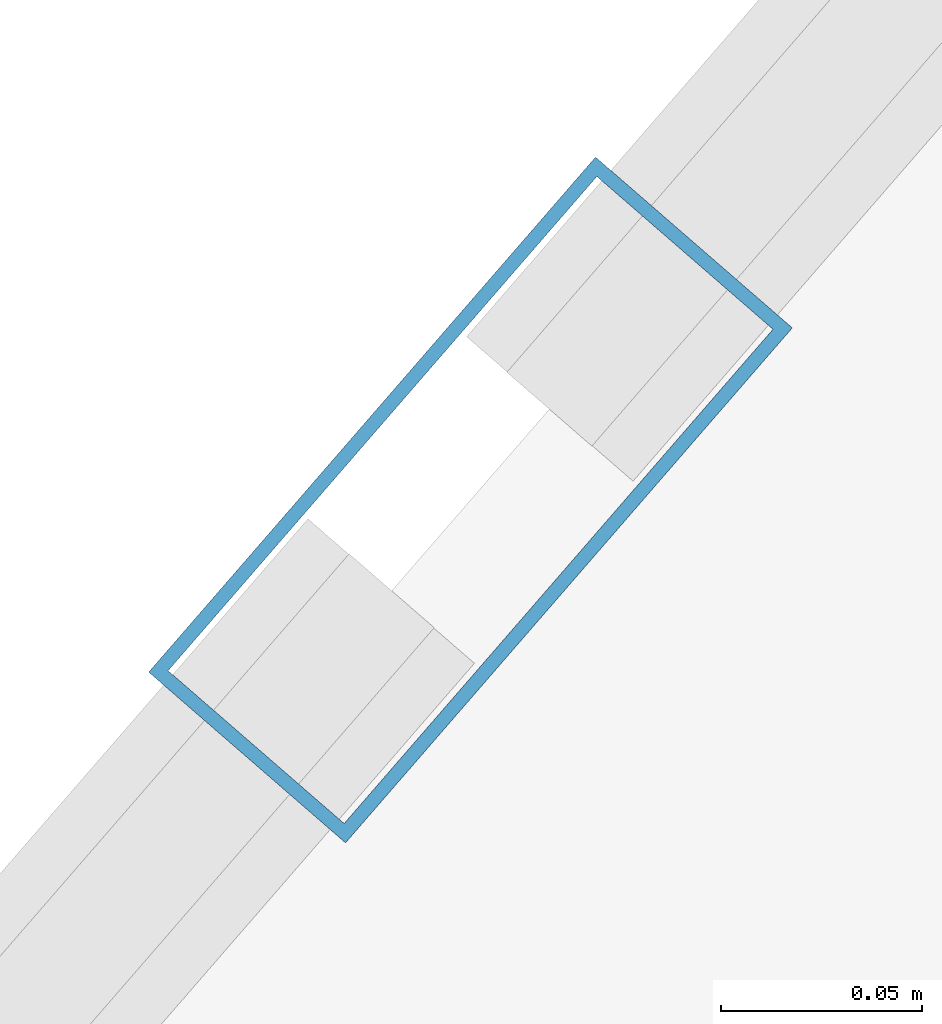
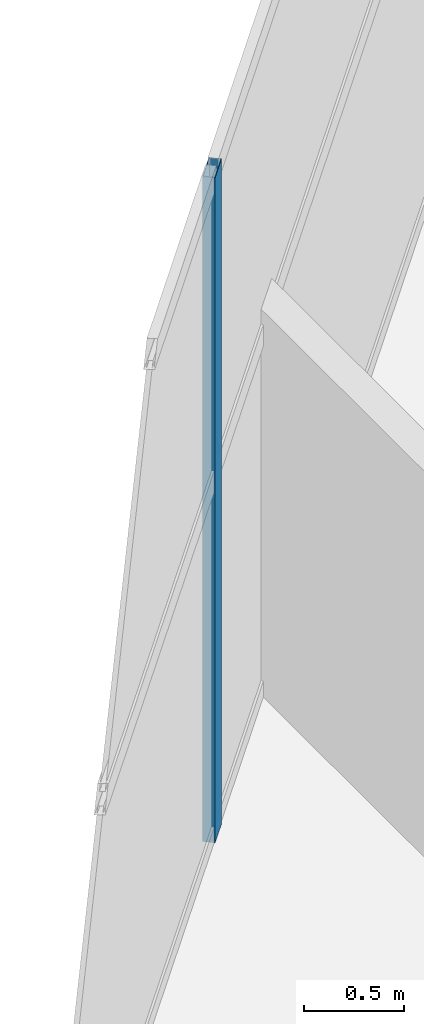
# One storey, part 13 of 29: 1 member, 1 element without a shape of its own.
"""IFC4 building model written with IfcOpenShell, lengths in metres."""

from ifc_helpers import new_model, si_unit, direction, frame, origin, origin_2d, place, context, subcontext, project, spatial, hollow_rectangle, extrude, material, layer, layer_set, material_profile, profile_set, type_object, element, aggregate, save


model = new_model("IFC4")

# Units and contexts
model_context = context("Model", 3, precision=1e-05, world=origin(), true_north=direction((0.0, 1.0)))
body_context = subcontext(model_context, "Body", "Model", "MODEL_VIEW")
ifc_project = project(units=[si_unit("LENGTHUNIT", "METRE"), si_unit("AREAUNIT", "SQUARE_METRE"), si_unit("VOLUMEUNIT", "CUBIC_METRE"), si_unit("PLANEANGLEUNIT", "RADIAN"), si_unit("MASSUNIT", "GRAM", prefix="KILO")], contexts=[model_context])

# Site, building, storey
site_placement = place(None, origin())
site = spatial("IfcSite", under=ifc_project, at=site_placement, CompositionType="ELEMENT")
building_placement = place(site_placement, origin())
building = spatial("IfcBuilding", under=site, at=building_placement, Name="Calvorn Quay Hotel", CompositionType="ELEMENT")
storey_placement = place(building_placement, frame((0.0, 0.0, 259.0)))
storey = spatial("IfcBuildingStorey", under=building, at=storey_placement, Name="L64", CompositionType="ELEMENT", Elevation=259.0)

# Curtain wall, member
ifc_material_1 = material(Name="Champagne Bronze Anodised Aluminium and Low-E Glass", Category="aluminium")
ifc_layer = layer(ifc_material_1, 0.219970703125)
ifc_layer_set = layer_set([ifc_layer], Name="CW-SYS-Z4")
curtain_wall_type = type_object("IfcCurtainWallType", Name="CW-SYS-Z4", PredefinedType="NOTDEFINED", material=ifc_layer_set)
curtain_wall_placement = place(storey_placement, origin())
curtain_wall = element("IfcCurtainWall", 1, at=curtain_wall_placement, inside=storey, type_object=curtain_wall_type, Name="Inner Court Curtain Wall L64-NE1", PredefinedType="NOTDEFINED")
ifc_material_2 = material(Name="Champagne Bronze Anodised Aluminium 6063-T6", Category="aluminium")
ifc_material_profile = material_profile(ifc_material_2, hollow_rectangle(XDim=0.06494140625, YDim=0.169921875, WallThickness=0.00341796875, at=origin_2d()), Name="ALU-M170x65x3.5")
ifc_profile_set = profile_set([ifc_material_profile], Name="Champagne Bronze Anodised Aluminium 6063-T6")
member_type = type_object("IfcMemberType", Name="CW-SYS-Z4-MUL", PredefinedType="MULLION", material=ifc_profile_set)
member_placement = place(storey_placement, frame((27.5, 31.199951171875, 0.0), z_axis=(0.0, 0.0, 1.0), x_axis=(0.755322467304, -0.655353317216, 0.0)))
member = element("IfcMember", 2, at=member_placement, type_object=member_type, Name="CW-L64-NE1 mullion 2", PredefinedType="MULLION", context=body_context, shape_type="SweptSolid", body=[
    extrude(hollow_rectangle(XDim=0.06494140625, YDim=0.169921875, WallThickness=0.00341796875, at=origin_2d()), origin(), (0.0, 0.0, 1.0), 4.050048828125),
])
aggregate(curtain_wall, [member])

save(model, "model.ifc")
